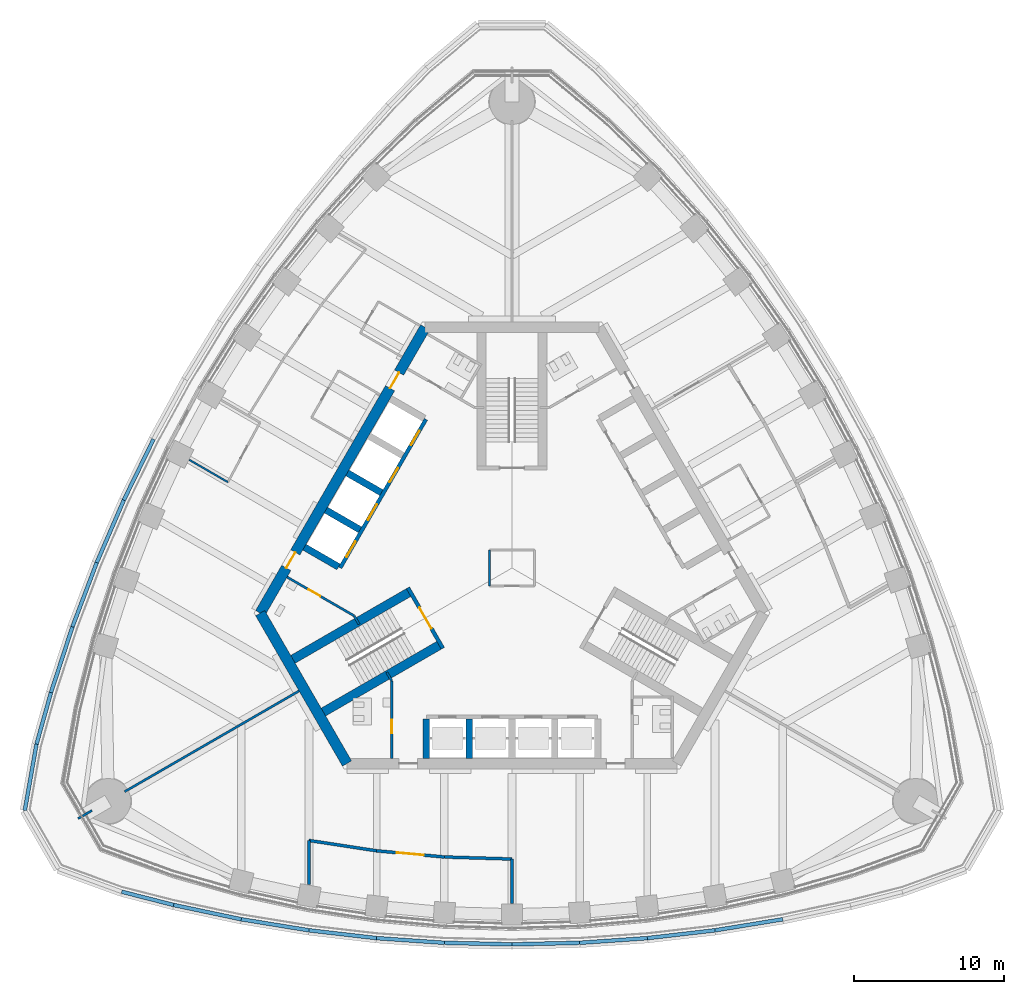
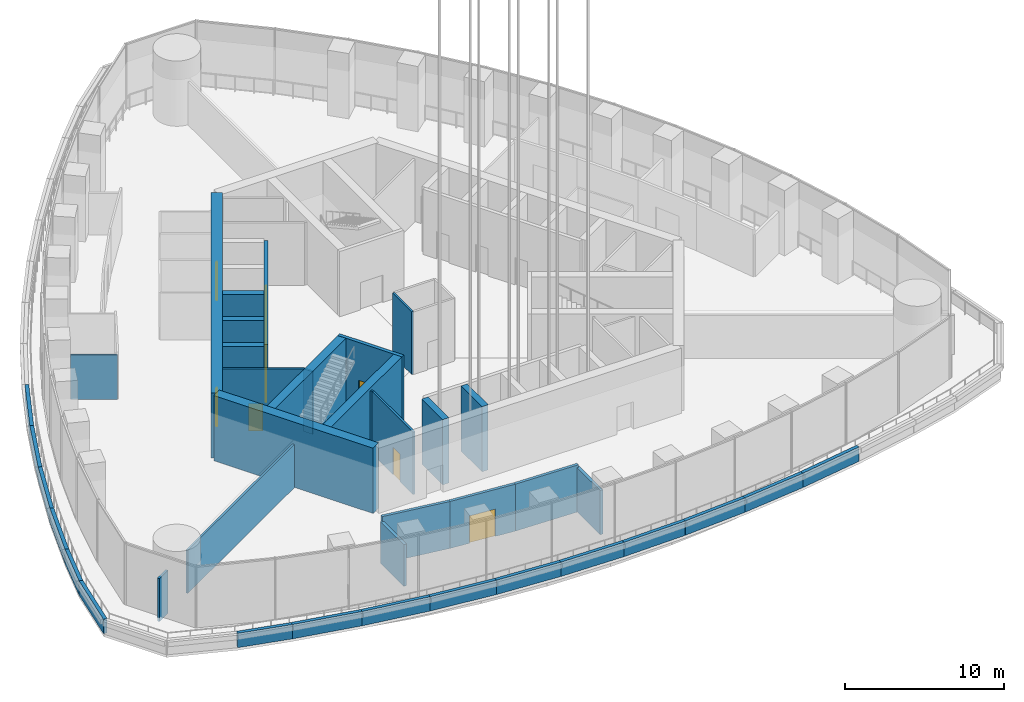
# One storey, part 9 of 26: 40 walls, 10 doors, 10 openings.
"""IFC4 building model written with IfcOpenShell, lengths in metres."""

from ifc_helpers import new_model, si_unit, direction, frame, frame_2d, origin, place, context, subcontext, project, spatial, rectangle, extrude, material, layer, layer_set, type_object, element, fill, save


model = new_model("IFC4")

# Units and contexts
model_context = context("Model", 3, precision=1e-05, world=origin(), true_north=direction((0.0, 1.0)))
body_context = subcontext(model_context, "Body", "Model", "MODEL_VIEW")
ifc_project = project(units=[si_unit("LENGTHUNIT", "METRE"), si_unit("AREAUNIT", "SQUARE_METRE"), si_unit("VOLUMEUNIT", "CUBIC_METRE"), si_unit("PLANEANGLEUNIT", "RADIAN"), si_unit("MASSUNIT", "GRAM", prefix="KILO")], contexts=[model_context])

# Site, building, storey
site_placement = place(None, origin())
site = spatial("IfcSite", under=ifc_project, at=site_placement, CompositionType="ELEMENT")
building_placement = place(site_placement, origin())
building = spatial("IfcBuilding", under=site, at=building_placement, Name="Trefoil Bronze Tower", CompositionType="ELEMENT")
storey_placement = place(building_placement, frame((0.0, 0.0, 271.300048828125)))
storey = spatial("IfcBuildingStorey", under=building, at=storey_placement, Name="L62", CompositionType="ELEMENT", Elevation=271.300048828125)

# Walls
ifc_material_1 = material(Name="Gypsum board on steel studs", Category="steel")
ifc_layer_1 = layer(ifc_material_1, 0.199951171875)
ifc_layer_set_1 = layer_set([ifc_layer_1], Name="Acoustic partition 200")
wall_type_1 = type_object("IfcWallType", Name="Acoustic partition 200", PredefinedType="PARTITIONING", material=ifc_layer_set_1)
wall_1_placement = place(storey_placement, frame((-13.5, -18.1162109375, 0.0), z_axis=(0.0, 0.0, 1.0), x_axis=(0.988481794406, -0.151339823341, 0.0)))
element("IfcWall", 1, at=wall_1_placement, inside=storey, type_object=wall_type_1, Name="Partition F1 L62", PredefinedType="PARTITIONING", context=body_context, shape_type="SweptSolid", body=[
    extrude(rectangle(XDim=4.552490234375, YDim=0.199951171875, at=frame_2d((2.2763671875, 0.0))), origin(), (0.0, 0.0, 1.0), 3.599853515625),
])
wall_2_placement = place(storey_placement, frame((-4.5, -19.21533203125, 0.0), z_axis=(0.0, 0.0, 1.0), x_axis=(0.999542074227, -0.030259574513, 0.0)))
element("IfcWall", 2, at=wall_2_placement, inside=storey, type_object=wall_type_1, Name="Partition F1 L62", PredefinedType="PARTITIONING", context=body_context, shape_type="SweptSolid", body=[
    extrude(rectangle(XDim=4.501953125, YDim=0.199951171875, at=frame_2d((2.2509765625, 0.0))), origin(), (0.0, 0.0, 1.0), 3.599853515625),
])

# Wall, opening, door
wall_3_placement = place(storey_placement, frame((-9.0, -18.80517578125, 0.0), z_axis=(0.0, 0.0, 1.0), x_axis=(0.995871921504, -0.090769576179, 0.0)))
wall_3 = element("IfcWall", 3, at=wall_3_placement, inside=storey, type_object=wall_type_1, Name="Partition F1 L62", PredefinedType="PARTITIONING", context=body_context, shape_type="SweptSolid", body=[
    extrude(rectangle(XDim=4.5185546875, YDim=0.199951171875, at=frame_2d((2.25927734375, 0.0))), origin(), (0.0, 0.0, 1.0), 3.599853515625),
])
opening_1_placement = place(wall_3_placement, frame((1.35009765625, 0.0, 0.0)))
opening_1 = element("IfcOpeningElement", 4, at=opening_1_placement, cuts=wall_3, Name="Opening D10", PredefinedType="OPENING", context=body_context, shape_type="SweptSolid", body=[
    extrude(rectangle(XDim=1.800048828125, YDim=2.10009765625, at=frame_2d((0.89990234375, 1.050048828125))), frame((0.0, 0.10986328125, 0.0), z_axis=(0.0, -1.0, 0.0), x_axis=(1.0, 0.0, 0.0)), (0.0, 0.0, 1.0), 0.219970703125),
])
ifc_material_2 = material(Name="Timber door", Category="wood")
door_type_1 = type_object("IfcDoorType", Name="Double door 1800", OperationType="DOUBLE_DOOR_SINGLE_SWING", PredefinedType="DOOR", material=ifc_material_2)
door_1_placement = place(opening_1_placement, frame((1.800048828125, 0.0, 0.0), z_axis=(0.0, 0.0, 1.0), x_axis=(-1.0, 0.0, 0.0)))
door_1 = element("IfcDoor", 5, at=door_1_placement, inside=storey, type_object=door_type_1, Name="Private dining room door F1 L62", OperationType="DOUBLE_DOOR_SINGLE_SWING", OverallHeight=2.10009765625, OverallWidth=1.800048828125, PredefinedType="DOOR", context=body_context, shape_type="SweptSolid", body=[
    extrude(rectangle(XDim=1.800048828125, YDim=2.10009765625, at=frame_2d((0.89990234375, 1.050048828125))), frame((0.0, 0.02490234375, 0.0), z_axis=(0.0, -1.0, 0.0), x_axis=(1.0, 0.0, 0.0)), (0.0, 0.0, 1.0), 0.050048828125),
])
fill(opening_1, door_1)

# Walls
wall_4_placement = place(storey_placement, frame((0.0, -19.3515625, 0.0), z_axis=(0.0, 0.0, 1.0), x_axis=(0.0, -1.0, 0.0)))
element("IfcWall", 6, at=wall_4_placement, inside=storey, type_object=wall_type_1, Name="Partition F1 L62", PredefinedType="PARTITIONING", context=body_context, shape_type="SweptSolid", body=[
    extrude(rectangle(XDim=2.969970703125, YDim=0.199951171875, at=frame_2d((1.48486328125, 0.0))), origin(), (0.0, 0.0, 1.0), 3.39990234375),
])
wall_5_placement = place(storey_placement, frame((-13.5, -18.1162109375, 0.0), z_axis=(0.0, 0.0, 1.0), x_axis=(0.0, -1.0, 0.0)))
element("IfcWall", 7, at=wall_5_placement, inside=storey, type_object=wall_type_1, Name="Partition F1 L62", PredefinedType="PARTITIONING", context=body_context, shape_type="SweptSolid", body=[
    extrude(rectangle(XDim=2.9443359375, YDim=0.199951171875, at=frame_2d((1.47216796875, 0.0))), origin(), (0.0, 0.0, 1.0), 3.199951171875),
])

# Wall, openings, doors
ifc_material_3 = material(Name="Concrete B80", Category="concrete")
ifc_layer_2 = layer(ifc_material_3, 0.699951171875)
ifc_layer_set_2 = layer_set([ifc_layer_2], Name="Core wall 700")
wall_type_2 = type_object("IfcWallType", Name="Core wall 700", PredefinedType="SHEAR", material=ifc_layer_set_2)
wall_6_placement = place(storey_placement, frame((-5.7734375, 16.0, 0.0), z_axis=(0.0, 0.0, 1.0), x_axis=(-0.500002442456, -0.866023993627, 0.0)))
wall_6 = element("IfcWall", 8, at=wall_6_placement, inside=storey, type_object=wall_type_2, Name="Core long wall 3 L62", PredefinedType="SHEAR", context=body_context, shape_type="SweptSolid", body=[
    extrude(rectangle(XDim=21.939453125, YDim=0.699951171875, at=frame_2d((10.9697265625, 0.0))), origin(), (0.0, 0.0, 1.0), 5.0),
])
opening_2_placement = place(wall_6_placement, frame((17.269775390625, 0.0, 0.0)))
opening_2 = element("IfcOpeningElement", 9, at=opening_2_placement, cuts=wall_6, Name="Opening D2", PredefinedType="OPENING", context=body_context, shape_type="SweptSolid", body=[
    extrude(rectangle(XDim=1.199951171875, YDim=2.10009765625, at=frame_2d((0.60009765625, 1.050048828125))), frame((0.0, 0.35986328125, 0.0), z_axis=(0.0, -1.0, 0.0), x_axis=(1.0, 0.0, 0.0)), (0.0, 0.0, 1.0), 0.719970703125),
])
opening_3_placement = place(wall_6_placement, frame((3.4697265625, 0.0, 0.0)))
opening_3 = element("IfcOpeningElement", 10, at=opening_3_placement, cuts=wall_6, Name="Opening D2", PredefinedType="OPENING", context=body_context, shape_type="SweptSolid", body=[
    extrude(rectangle(XDim=1.199951171875, YDim=2.10009765625, at=frame_2d((0.60009765625, 1.050048828125))), frame((0.0, 0.35986328125, 0.0), z_axis=(0.0, -1.0, 0.0), x_axis=(1.0, 0.0, 0.0)), (0.0, 0.0, 1.0), 0.719970703125),
])
ifc_material_4 = material(Name="Steel door", Category="steel")
door_type_2 = type_object("IfcDoorType", Name="Lobby door 1200", OperationType="SINGLE_SWING_RIGHT", PredefinedType="DOOR", material=ifc_material_4)
door_2_placement = place(opening_2_placement, origin())
door_2 = element("IfcDoor", 11, at=door_2_placement, inside=storey, type_object=door_type_2, Name="Lobby door F3+ L62", OperationType="SINGLE_SWING_RIGHT", OverallHeight=2.10009765625, OverallWidth=1.199951171875, PredefinedType="DOOR", context=body_context, shape_type="SweptSolid", body=[
    extrude(rectangle(XDim=1.199951171875, YDim=2.10009765625, at=frame_2d((0.60009765625, 1.050048828125))), frame((0.0, 0.02490234375, 0.0), z_axis=(0.0, -1.0, 0.0), x_axis=(1.0, 0.0, 0.0)), (0.0, 0.0, 1.0), 0.050048828125),
])
fill(opening_2, door_2)
door_3_placement = place(opening_3_placement, origin())
door_3 = element("IfcDoor", 12, at=door_3_placement, inside=storey, type_object=door_type_2, Name="Lobby door F3- L62", OperationType="SINGLE_SWING_LEFT", OverallHeight=2.10009765625, OverallWidth=1.199951171875, PredefinedType="DOOR", context=body_context, shape_type="SweptSolid", body=[
    extrude(rectangle(XDim=1.199951171875, YDim=2.10009765625, at=frame_2d((0.60009765625, 1.050048828125))), frame((0.0, 0.02490234375, 0.0), z_axis=(0.0, -1.0, 0.0), x_axis=(1.0, 0.0, 0.0)), (0.0, 0.0, 1.0), 0.050048828125),
])
fill(opening_3, door_3)

# Walls
wall_7_placement = place(storey_placement, frame((-16.7431640625, -3.0, 0.0), z_axis=(0.0, 0.0, 1.0), x_axis=(0.499995765644, -0.866027848477, 0.0)))
element("IfcWall", 13, at=wall_7_placement, inside=storey, type_object=wall_type_2, Name="Core short wall 3 L62", PredefinedType="SHEAR", context=body_context, shape_type="SweptSolid", body=[
    extrude(rectangle(XDim=11.546875, YDim=0.699951171875, at=frame_2d((5.7734375, 0.0))), origin(), (0.0, 0.0, 1.0), 5.0),
])
ifc_material_5 = material(Name="Glazed partition", Category="glass")
ifc_layer_3 = layer(ifc_material_5, 0.1201171875)
ifc_layer_set_3 = layer_set([ifc_layer_3], Name="Glazed partition 120")
wall_type_3 = type_object("IfcWallType", Name="Glazed partition 120", PredefinedType="PARTITIONING", material=ifc_layer_set_3)
wall_8_placement = place(storey_placement, frame((-18.890869140625, 5.71044921875, 0.0), z_axis=(0.0, 0.0, 1.0), x_axis=(-0.866032134716, 0.499988341504, 0.0)))
element("IfcWall", 14, at=wall_8_placement, inside=storey, type_object=wall_type_3, Name="Partition F3 L62", PredefinedType="PARTITIONING", context=body_context, shape_type="SweptSolid", body=[
    extrude(rectangle(XDim=2.96728515625, YDim=0.1201171875, at=frame_2d((1.483642578125, 0.0))), origin(), (0.0, 0.0, 1.0), 3.39990234375),
])
ifc_material_6 = material(Name="Concrete B80", Category="concrete")
ifc_layer_4 = layer(ifc_material_6, 0.449951171875)
ifc_layer_set_4 = layer_set([ifc_layer_4], Name="Outrigger shaft wall 450")
wall_type_4 = type_object("IfcWallType", Name="Outrigger shaft wall 450", PredefinedType="SHEAR", material=ifc_layer_set_4)
for number, where, z_axis, x_axis, name in (
    (15, (-5.699951171875, -10.02490234375, 0.0), (0.0, 0.0, 1.0), (0.0, -1.0, 0.0), "Lift shaft side wall A0 L62"),
    (16, (-2.85009765625, -10.02490234375, 0.0), (0.0, 0.0, 1.0), (0.0, -1.0, 0.0), "Lift shaft side wall A1 L62"),
    (17, (-8.681884765625, 5.012451171875, 0.0), (0.0, 0.0, 1.0), (-0.866036909293, 0.499980071345, 0.0), "Lift shaft side wall C2 L62"),
    (18, (-10.10693359375, 2.54443359375, 0.0), (0.0, 0.0, 1.0), (-0.866013657776, 0.500020344131, 0.0), "Lift shaft side wall C3 L62"),
    (19, (-11.531982421875, 0.076171875, 0.0), (0.0, 0.0, 1.0), (-0.866013657776, 0.500020344131, 0.0), "Lift shaft side wall C4 L62"),
):
    element("IfcWall", number, at=place(storey_placement, frame(where, z_axis=z_axis, x_axis=x_axis)), inside=storey, type_object=wall_type_4, Name=name, PredefinedType="SHEAR", context=body_context, shape_type="SweptSolid", body=[
        extrude(rectangle(XDim=2.625, YDim=0.449951171875, at=frame_2d((1.3125, 0.0))), origin(), (0.0, 0.0, 1.0), 5.0),
    ])
ifc_material_7 = material(Name="Concrete B80", Category="concrete")
ifc_layer_5 = layer(ifc_material_7, 0.25)
ifc_layer_set_5 = layer_set([ifc_layer_5], Name="Parapet 250")
wall_type_5 = type_object("IfcWallType", Name="Parapet 250", PredefinedType="PARAPET", material=ifc_layer_set_5)
wall_9_placement = place(storey_placement, frame((-25.952880859375, -21.525634765625, 0.0), z_axis=(0.0, 0.0, 1.0), x_axis=(0.968933780572, -0.247320296109, 0.0)))
element("IfcWall", 20, at=wall_9_placement, inside=storey, type_object=wall_type_5, Name="Parapet L62.1", PredefinedType="PARAPET", context=body_context, shape_type="SweptSolid", body=[
    extrude(rectangle(XDim=3.5634765625, YDim=0.25, at=frame_2d((1.78173828125, 0.0))), origin(), (0.0, 0.0, 1.0), 1.099853515625),
])
wall_10_placement = place(storey_placement, frame((-22.5, -22.406982421875, 0.0), z_axis=(0.0, 0.0, 1.0), x_axis=(0.978393499054, -0.206751447418, 0.0)))
element("IfcWall", 21, at=wall_10_placement, inside=storey, type_object=wall_type_5, Name="Parapet L62.2", PredefinedType="PARAPET", context=body_context, shape_type="SweptSolid", body=[
    extrude(rectangle(XDim=4.599365234375, YDim=0.25, at=frame_2d((2.2998046875, 0.0))), origin(), (0.0, 0.0, 1.0), 1.099853515625),
])
wall_11_placement = place(storey_placement, frame((-18.0, -23.35791015625, 0.0), z_axis=(0.0, 0.0, 1.0), x_axis=(0.986986525477, -0.160802980469, 0.0)))
element("IfcWall", 22, at=wall_11_placement, inside=storey, type_object=wall_type_5, Name="Parapet L62.3", PredefinedType="PARAPET", context=body_context, shape_type="SweptSolid", body=[
    extrude(rectangle(XDim=4.559326171875, YDim=0.25, at=frame_2d((2.27978515625, 0.0))), origin(), (0.0, 0.0, 1.0), 1.099853515625),
])
wall_12_placement = place(storey_placement, frame((-13.5, -24.091064453125, 0.0), z_axis=(0.0, 0.0, 1.0), x_axis=(0.993382946625, -0.114849124309, 0.0)))
element("IfcWall", 23, at=wall_12_placement, inside=storey, type_object=wall_type_5, Name="Parapet L62.4", PredefinedType="PARAPET", context=body_context, shape_type="SweptSolid", body=[
    extrude(rectangle(XDim=4.530029296875, YDim=0.25, at=frame_2d((2.26513671875, 0.0))), origin(), (0.0, 0.0, 1.0), 1.099853515625),
])
wall_13_placement = place(storey_placement, frame((-9.0, -24.611328125, 0.0), z_axis=(0.0, 0.0, 1.0), x_axis=(0.997623533978, -0.068900540297, 0.0)))
element("IfcWall", 24, at=wall_13_placement, inside=storey, type_object=wall_type_5, Name="Parapet L62.5", PredefinedType="PARAPET", context=body_context, shape_type="SweptSolid", body=[
    extrude(rectangle(XDim=4.5107421875, YDim=0.25, at=frame_2d((2.25537109375, 0.0))), origin(), (0.0, 0.0, 1.0), 1.099853515625),
])
for number, where, z_axis, x_axis, name in (
    (25, (-4.5, -24.922119140625, 0.0), (0.0, 0.0, 1.0), (0.99973552509, -0.022997388381, 0.0), "Parapet L62.6"),
    (26, (0.0, -25.025634765625, 0.0), (0.0, 0.0, 1.0), (0.99973552509, 0.022997388381, 0.0), "Parapet L62.7"),
):
    element("IfcWall", number, at=place(storey_placement, frame(where, z_axis=z_axis, x_axis=x_axis)), inside=storey, type_object=wall_type_5, Name=name, PredefinedType="PARAPET", context=body_context, shape_type="SweptSolid", body=[
        extrude(rectangle(XDim=4.501220703125, YDim=0.25, at=frame_2d((2.25048828125, 0.0))), origin(), (0.0, 0.0, 1.0), 1.099853515625),
    ])
wall_14_placement = place(storey_placement, frame((4.5, -24.922119140625, 0.0), z_axis=(0.0, 0.0, 1.0), x_axis=(0.997623533978, 0.068900540297, 0.0)))
element("IfcWall", 27, at=wall_14_placement, inside=storey, type_object=wall_type_5, Name="Parapet L62.8", PredefinedType="PARAPET", context=body_context, shape_type="SweptSolid", body=[
    extrude(rectangle(XDim=4.5107421875, YDim=0.25, at=frame_2d((2.25537109375, 0.0))), origin(), (0.0, 0.0, 1.0), 1.099853515625),
])
wall_15_placement = place(storey_placement, frame((9.0, -24.611328125, 0.0), z_axis=(0.0, 0.0, 1.0), x_axis=(0.993382946625, 0.114849124309, 0.0)))
element("IfcWall", 28, at=wall_15_placement, inside=storey, type_object=wall_type_5, Name="Parapet L62.9", PredefinedType="PARAPET", context=body_context, shape_type="SweptSolid", body=[
    extrude(rectangle(XDim=4.530029296875, YDim=0.25, at=frame_2d((2.26513671875, 0.0))), origin(), (0.0, 0.0, 1.0), 1.099853515625),
])
wall_16_placement = place(storey_placement, frame((13.5, -24.091064453125, 0.0), z_axis=(0.0, 0.0, 1.0), x_axis=(0.986986525477, 0.160802980469, 0.0)))
element("IfcWall", 29, at=wall_16_placement, inside=storey, type_object=wall_type_5, Name="Parapet L62.10", PredefinedType="PARAPET", context=body_context, shape_type="SweptSolid", body=[
    extrude(rectangle(XDim=4.559326171875, YDim=0.25, at=frame_2d((2.27978515625, 0.0))), origin(), (0.0, 0.0, 1.0), 1.099853515625),
])
wall_17_placement = place(storey_placement, frame((-23.833251953125, 8.56396484375, 0.0), z_axis=(0.0, 0.0, 1.0), x_axis=(-0.43911984878, -0.898428493764, 0.0)))
element("IfcWall", 30, at=wall_17_placement, inside=storey, type_object=wall_type_5, Name="Parapet L62.38", PredefinedType="PARAPET", context=body_context, shape_type="SweptSolid", body=[
    extrude(rectangle(XDim=4.5107421875, YDim=0.25, at=frame_2d((2.25537109375, 0.0))), origin(), (0.0, 0.0, 1.0), 1.099853515625),
])
wall_18_placement = place(storey_placement, frame((-25.81396484375, 4.511474609375, 0.0), z_axis=(0.0, 0.0, 1.0), x_axis=(-0.397253491631, -0.917708920839, 0.0)))
element("IfcWall", 31, at=wall_18_placement, inside=storey, type_object=wall_type_5, Name="Parapet L62.39", PredefinedType="PARAPET", context=body_context, shape_type="SweptSolid", body=[
    extrude(rectangle(XDim=4.530029296875, YDim=0.25, at=frame_2d((2.26513671875, 0.0))), origin(), (0.0, 0.0, 1.0), 1.099853515625),
])
wall_19_placement = place(storey_placement, frame((-27.613525390625, 0.354248046875, 0.0), z_axis=(0.0, 0.0, 1.0), x_axis=(-0.354219967303, -0.935162132875, 0.0)))
element("IfcWall", 32, at=wall_19_placement, inside=storey, type_object=wall_type_5, Name="Parapet L62.40", PredefinedType="PARAPET", context=body_context, shape_type="SweptSolid", body=[
    extrude(rectangle(XDim=4.559326171875, YDim=0.25, at=frame_2d((2.27978515625, 0.0))), origin(), (0.0, 0.0, 1.0), 1.099853515625),
])
wall_20_placement = place(storey_placement, frame((-29.228515625, -3.909423828125, 0.0), z_axis=(0.0, 0.0, 1.0), x_axis=(-0.310154105003, -0.950686294815, 0.0)))
element("IfcWall", 33, at=wall_20_placement, inside=storey, type_object=wall_type_5, Name="Parapet L62.41", PredefinedType="PARAPET", context=body_context, shape_type="SweptSolid", body=[
    extrude(rectangle(XDim=4.599365234375, YDim=0.25, at=frame_2d((2.2998046875, 0.0))), origin(), (0.0, 0.0, 1.0), 1.099853515625),
])
wall_21_placement = place(storey_placement, frame((-30.655029296875, -8.281982421875, 0.0), z_axis=(0.0, 0.0, 1.0), x_axis=(-0.270257504211, -0.962788077106, 0.0)))
element("IfcWall", 34, at=wall_21_placement, inside=storey, type_object=wall_type_5, Name="Parapet L62.42", PredefinedType="PARAPET", context=body_context, shape_type="SweptSolid", body=[
    extrude(rectangle(XDim=3.563720703125, YDim=0.25, at=frame_2d((1.78173828125, 0.0))), origin(), (0.0, 0.0, 1.0), 1.099853515625),
])
wall_22_placement = place(storey_placement, frame((-31.6181640625, -11.713134765625, 0.0), z_axis=(0.0, 0.0, 1.0), x_axis=(-0.173663946116, -0.984804972479, 0.0)))
element("IfcWall", 35, at=wall_22_placement, inside=storey, type_object=wall_type_5, Name="Parapet L62.43", PredefinedType="PARAPET", context=body_context, shape_type="SweptSolid", body=[
    extrude(rectangle(XDim=4.474853515625, YDim=0.25, at=frame_2d((2.2373046875, 0.0))), origin(), (0.0, 0.0, 1.0), 1.099853515625),
])

# Wall, opening, door
ifc_material_8 = material(Name="Gypsum board on steel studs", Category="steel")
ifc_layer_6 = layer(ifc_material_8, 0.14990234375)
ifc_layer_set_6 = layer_set([ifc_layer_6], Name="Partition 150")
wall_type_6 = type_object("IfcWallType", Name="Partition 150", PredefinedType="PARTITIONING", material=ifc_layer_set_6)
wall_23_placement = place(storey_placement, frame((-8.0, -7.5, 0.0), z_axis=(0.0, 0.0, 1.0), x_axis=(0.0, -1.0, 0.0)))
wall_23 = element("IfcWall", 36, at=wall_23_placement, inside=storey, type_object=wall_type_6, Name="Passage wall F1- L62", PredefinedType="PARTITIONING", context=body_context, shape_type="SweptSolid", body=[
    extrude(rectangle(XDim=5.14990234375, YDim=0.14990234375, at=frame_2d((2.574951171875, 0.0))), origin(), (0.0, 0.0, 1.0), 4.800048828125),
])
opening_4_placement = place(wall_23_placement, frame((2.60009765625, 0.0, 0.0)))
opening_4 = element("IfcOpeningElement", 37, at=opening_4_placement, cuts=wall_23, Name="Opening D3", PredefinedType="OPENING", context=body_context, shape_type="SweptSolid", body=[
    extrude(rectangle(XDim=0.89990234375, YDim=2.10009765625, at=frame_2d((0.449951171875, 1.050048828125))), frame((0.0, 0.0849609375, 0.0), z_axis=(0.0, -1.0, 0.0), x_axis=(1.0, 0.0, 0.0)), (0.0, 0.0, 1.0), 0.169921875),
])
ifc_material_9 = material(Name="Timber door", Category="wood")
door_type_3 = type_object("IfcDoorType", Name="WC door 900", OperationType="SINGLE_SWING_LEFT", PredefinedType="DOOR", material=ifc_material_9)
door_4_placement = place(opening_4_placement, frame((0.89990234375, 0.0, 0.0), z_axis=(0.0, 0.0, 1.0), x_axis=(-1.0, 0.0, 0.0)))
door_4 = element("IfcDoor", 38, at=door_4_placement, inside=storey, type_object=door_type_3, Name="WC (women) door L62", OperationType="SINGLE_SWING_LEFT", OverallHeight=2.10009765625, OverallWidth=0.89990234375, PredefinedType="DOOR", context=body_context, shape_type="SweptSolid", body=[
    extrude(rectangle(XDim=0.89990234375, YDim=2.10009765625, at=frame_2d((0.449951171875, 1.050048828125))), frame((0.0, 0.02490234375, 0.0), z_axis=(0.0, -1.0, 0.0), x_axis=(1.0, 0.0, 0.0)), (0.0, 0.0, 1.0), 0.050048828125),
])
fill(opening_4, door_4)

wall_24_placement = place(storey_placement, frame((-10.4951171875, -3.17822265625, 0.0), z_axis=(0.0, 0.0, 1.0), x_axis=(-0.866037967349, 0.499978238636, 0.0)))
wall_24 = element("IfcWall", 39, at=wall_24_placement, inside=storey, type_object=wall_type_6, Name="Passage wall F3+ L62", PredefinedType="PARTITIONING", context=body_context, shape_type="SweptSolid", body=[
    extrude(rectangle(XDim=5.150146484375, YDim=0.14990234375, at=frame_2d((2.5751953125, 0.0))), origin(), (0.0, 0.0, 1.0), 4.800048828125),
])
opening_5_placement = place(wall_24_placement, frame((2.60009765625, 0.0, 0.0)))
opening_5 = element("IfcOpeningElement", 40, at=opening_5_placement, cuts=wall_24, Name="Opening D3", PredefinedType="OPENING", context=body_context, shape_type="SweptSolid", body=[
    extrude(rectangle(XDim=0.89990234375, YDim=2.10009765625, at=frame_2d((0.449951171875, 1.050048828125))), frame((0.0, 0.0849609375, 0.0), z_axis=(0.0, -1.0, 0.0), x_axis=(1.0, 0.0, 0.0)), (0.0, 0.0, 1.0), 0.169921875),
])
door_5_placement = place(opening_5_placement, origin())
door_5 = element("IfcDoor", 41, at=door_5_placement, inside=storey, type_object=door_type_3, Name="Accessible WC door L62", OperationType="SINGLE_SWING_RIGHT", OverallHeight=2.10009765625, OverallWidth=0.89990234375, PredefinedType="DOOR", context=body_context, shape_type="SweptSolid", body=[
    extrude(rectangle(XDim=0.89990234375, YDim=2.10009765625, at=frame_2d((0.449951171875, 1.050048828125))), frame((0.0, 0.02490234375, 0.0), z_axis=(0.0, -1.0, 0.0), x_axis=(1.0, 0.0, 0.0)), (0.0, 0.0, 1.0), 0.050048828125),
])
fill(opening_5, door_5)

# Walls
for number, where, z_axis, x_axis, name in (
    (42, (-10.4951171875, -3.17822265625, 0.0), (0.0, 0.0, 1.0), (0.499842556608, -0.866116284689, 0.0), "WC wall ST3-1 L62"),
    (43, (-8.0, -7.5, 0.0), (0.0, 0.0, 1.0), (-0.499842556608, 0.866116284689, 0.0), "WC wall ST3+1 L62"),
):
    element("IfcWall", number, at=place(storey_placement, frame(where, z_axis=z_axis, x_axis=x_axis)), inside=storey, type_object=wall_type_6, Name=name, PredefinedType="PARTITIONING", context=body_context, shape_type="SweptSolid", body=[
        extrude(rectangle(XDim=0.645263671875, YDim=0.14990234375, at=frame_2d((0.32275390625, 0.0))), origin(), (0.0, 0.0, 1.0), 4.800048828125),
    ])
ifc_material_10 = material(Name="Gypsum board on steel studs", Category="steel")
ifc_layer_7 = layer(ifc_material_10, 0.14990234375)
ifc_layer_set_7 = layer_set([ifc_layer_7], Name="Party wall 150")
wall_type_7 = type_object("IfcWallType", Name="Party wall 150", PredefinedType="PARTITIONING", material=ifc_layer_set_7)
wall_25_placement = place(storey_placement, frame((-14.159423828125, -8.175048828125, 0.0), z_axis=(0.0, 0.0, 1.0), x_axis=(-0.866026905467, -0.499997399001, 0.0)))
element("IfcWall", 44, at=wall_25_placement, inside=storey, type_object=wall_type_7, Name="Party wall K3 L62", PredefinedType="PARTITIONING", context=body_context, shape_type="SweptSolid", body=[
    extrude(rectangle(XDim=13.39990234375, YDim=0.14990234375, at=frame_2d((6.699951171875, 0.0))), origin(), (0.0, 0.0, 1.0), 3.300048828125),
])
wall_26_placement = place(storey_placement, frame((-27.92919921875, -16.125, 0.0), z_axis=(0.0, 0.0, 1.0), x_axis=(-0.866086810508, -0.499893625349, 0.0)))
element("IfcWall", 45, at=wall_26_placement, inside=storey, type_object=wall_type_7, Name="Party wall K3 L62", PredefinedType="PARTITIONING", context=body_context, shape_type="SweptSolid", body=[
    extrude(rectangle(XDim=1.070068359375, YDim=0.14990234375, at=frame_2d((0.53515625, 0.0))), origin(), (0.0, 0.0, 1.0), 3.300048828125),
])
ifc_material_11 = material(Name="Gypsum board on steel studs", Category="steel")
ifc_layer_8 = layer(ifc_material_11, 0.14990234375)
ifc_layer_set_8 = layer_set([ifc_layer_8], Name="Riser wall 150")
wall_type_8 = type_object("IfcWallType", Name="Riser wall 150", PredefinedType="PARTITIONING", material=ifc_layer_set_8)
wall_27_placement = place(storey_placement, frame((-1.5, 1.199951171875, 0.0), z_axis=(0.0, 0.0, 1.0), x_axis=(0.0, -1.0, 0.0)))
element("IfcWall", 46, at=wall_27_placement, inside=storey, type_object=wall_type_8, Name="Riser wall L62", PredefinedType="PARTITIONING", context=body_context, shape_type="SweptSolid", body=[
    extrude(rectangle(XDim=2.39990234375, YDim=0.14990234375, at=frame_2d((1.199951171875, 0.0))), origin(), (0.0, 0.0, 1.0), 4.800048828125),
])

# Wall, openings, doors
ifc_material_12 = material(Name="Concrete B80", Category="concrete")
ifc_layer_9 = layer(ifc_material_12, 0.25)
ifc_layer_set_9 = layer_set([ifc_layer_9], Name="Shaft wall 250")
wall_type_9 = type_object("IfcWallType", Name="Shaft wall 250", PredefinedType="SHEAR", material=ifc_layer_set_9)
wall_28_placement = place(storey_placement, frame((-5.7236328125, 9.88623046875, 0.0), z_axis=(0.0, 0.0, 1.0), x_axis=(-0.500001763848, -0.866024385424, 0.0)))
wall_28 = element("IfcWall", 47, at=wall_28_placement, inside=storey, type_object=wall_type_9, Name="Lift shaft front wall C L62", PredefinedType="SHEAR", context=body_context, shape_type="SweptSolid", body=[
    extrude(rectangle(XDim=11.39990234375, YDim=0.25, at=frame_2d((5.699951171875, 0.0))), origin(), (0.0, 0.0, 1.0), 5.0),
])
opening_6_placement = place(wall_28_placement, frame((0.875, 0.0, 0.0)))
opening_6 = element("IfcOpeningElement", 48, at=opening_6_placement, cuts=wall_28, Name="Opening LD-S5", PredefinedType="OPENING", context=body_context, shape_type="SweptSolid", body=[
    extrude(rectangle(XDim=1.10009765625, YDim=2.199951171875, at=frame_2d((0.550048828125, 1.10009765625))), frame((0.0, 0.135009765625, 0.0), z_axis=(0.0, -1.0, 0.0), x_axis=(1.0, 0.0, 0.0)), (0.0, 0.0, 1.0), 0.27001953125),
])
opening_7_placement = place(wall_28_placement, frame((3.72509765625, 0.0, 0.0)))
opening_7 = element("IfcOpeningElement", 49, at=opening_7_placement, cuts=wall_28, Name="Opening LD-S6", PredefinedType="OPENING", context=body_context, shape_type="SweptSolid", body=[
    extrude(rectangle(XDim=1.10009765625, YDim=2.199951171875, at=frame_2d((0.550048828125, 1.10009765625))), frame((0.0, 0.135009765625, 0.0), z_axis=(0.0, -1.0, 0.0), x_axis=(1.0, 0.0, 0.0)), (0.0, 0.0, 1.0), 0.27001953125),
])
opening_8_placement = place(wall_28_placement, frame((6.52490234375, 0.0, 0.0)))
opening_8 = element("IfcOpeningElement", 50, at=opening_8_placement, cuts=wall_28, Name="Opening LD-FL1", PredefinedType="OPENING", context=body_context, shape_type="SweptSolid", body=[
    extrude(rectangle(XDim=1.199951171875, YDim=2.199951171875, at=frame_2d((0.60009765625, 1.10009765625))), frame((0.0, 0.135009765625, 0.0), z_axis=(0.0, -1.0, 0.0), x_axis=(1.0, 0.0, 0.0)), (0.0, 0.0, 1.0), 0.27001953125),
])
opening_9_placement = place(wall_28_placement, frame((9.375, 0.0, 0.0)))
opening_9 = element("IfcOpeningElement", 51, at=opening_9_placement, cuts=wall_28, Name="Opening LD-FL2", PredefinedType="OPENING", context=body_context, shape_type="SweptSolid", body=[
    extrude(rectangle(XDim=1.199951171875, YDim=2.199951171875, at=frame_2d((0.60009765625, 1.10009765625))), frame((0.0, 0.135009765625, 0.0), z_axis=(0.0, -1.0, 0.0), x_axis=(1.0, 0.0, 0.0)), (0.0, 0.0, 1.0), 0.27001953125),
])
ifc_material_13 = material(Name="Steel door", Category="steel")
door_type_4 = type_object("IfcDoorType", Name="Lift landing door 1100", OperationType="DOUBLE_DOOR_SLIDING", PredefinedType="DOOR", material=ifc_material_13)
door_6_placement = place(opening_6_placement, origin())
door_6 = element("IfcDoor", 52, at=door_6_placement, inside=storey, type_object=door_type_4, Name="Lift S5 landing door L62", OperationType="DOUBLE_DOOR_SLIDING", OverallHeight=2.199951171875, OverallWidth=1.10009765625, PredefinedType="DOOR", context=body_context, shape_type="SweptSolid", body=[
    extrude(rectangle(XDim=1.10009765625, YDim=2.199951171875, at=frame_2d((0.550048828125, 1.10009765625))), frame((0.0, 0.02490234375, 0.0), z_axis=(0.0, -1.0, 0.0), x_axis=(1.0, 0.0, 0.0)), (0.0, 0.0, 1.0), 0.050048828125),
])
fill(opening_6, door_6)
door_7_placement = place(opening_7_placement, origin())
door_7 = element("IfcDoor", 53, at=door_7_placement, inside=storey, type_object=door_type_4, Name="Lift S6 landing door L62", OperationType="DOUBLE_DOOR_SLIDING", OverallHeight=2.199951171875, OverallWidth=1.10009765625, PredefinedType="DOOR", context=body_context, shape_type="SweptSolid", body=[
    extrude(rectangle(XDim=1.10009765625, YDim=2.199951171875, at=frame_2d((0.550048828125, 1.10009765625))), frame((0.0, 0.02490234375, 0.0), z_axis=(0.0, -1.0, 0.0), x_axis=(1.0, 0.0, 0.0)), (0.0, 0.0, 1.0), 0.050048828125),
])
fill(opening_7, door_7)
ifc_material_14 = material(Name="Steel door", Category="steel")
door_type_5 = type_object("IfcDoorType", Name="Lift landing door 1200", OperationType="DOUBLE_DOOR_SLIDING", PredefinedType="DOOR", material=ifc_material_14)
door_8_placement = place(opening_8_placement, origin())
door_8 = element("IfcDoor", 54, at=door_8_placement, inside=storey, type_object=door_type_5, Name="Lift FL1 landing door L62", OperationType="DOUBLE_DOOR_SLIDING", OverallHeight=2.199951171875, OverallWidth=1.199951171875, PredefinedType="DOOR", context=body_context, shape_type="SweptSolid", body=[
    extrude(rectangle(XDim=1.199951171875, YDim=2.199951171875, at=frame_2d((0.60009765625, 1.10009765625))), frame((0.0, 0.02490234375, 0.0), z_axis=(0.0, -1.0, 0.0), x_axis=(1.0, 0.0, 0.0)), (0.0, 0.0, 1.0), 0.050048828125),
])
fill(opening_8, door_8)
door_9_placement = place(opening_9_placement, origin())
door_9 = element("IfcDoor", 55, at=door_9_placement, inside=storey, type_object=door_type_5, Name="Lift FL2 landing door L62", OperationType="DOUBLE_DOOR_SLIDING", OverallHeight=2.199951171875, OverallWidth=1.199951171875, PredefinedType="DOOR", context=body_context, shape_type="SweptSolid", body=[
    extrude(rectangle(XDim=1.199951171875, YDim=2.199951171875, at=frame_2d((0.60009765625, 1.10009765625))), frame((0.0, 0.02490234375, 0.0), z_axis=(0.0, -1.0, 0.0), x_axis=(1.0, 0.0, 0.0)), (0.0, 0.0, 1.0), 0.050048828125),
])
fill(opening_9, door_9)

# Wall, opening, door
wall_29_placement = place(storey_placement, frame((-6.921630859375, -1.3115234375, 0.0), z_axis=(0.0, 0.0, 1.0), x_axis=(0.499984536904, -0.866034331223, 0.0)))
wall_29 = element("IfcWall", 56, at=wall_29_placement, inside=storey, type_object=wall_type_9, Name="Stair end wall ST3 L62", PredefinedType="SHEAR", context=body_context, shape_type="SweptSolid", body=[
    extrude(rectangle(XDim=4.650146484375, YDim=0.25, at=frame_2d((2.3251953125, 0.0))), origin(), (0.0, 0.0, 1.0), 5.0),
])
opening_10_placement = place(wall_29_placement, frame((1.52490234375, 0.0, 0.0)))
opening_10 = element("IfcOpeningElement", 57, at=opening_10_placement, cuts=wall_29, Name="Opening D1", PredefinedType="OPENING", context=body_context, shape_type="SweptSolid", body=[
    extrude(rectangle(XDim=1.60009765625, YDim=2.10009765625, at=frame_2d((0.800048828125, 1.050048828125))), frame((0.0, 0.135009765625, 0.0), z_axis=(0.0, -1.0, 0.0), x_axis=(1.0, 0.0, 0.0)), (0.0, 0.0, 1.0), 0.27001953125),
])
ifc_material_15 = material(Name="Steel door", Category="steel")
door_type_6 = type_object("IfcDoorType", Name="Stair door 1600", OperationType="DOUBLE_DOOR_SINGLE_SWING", PredefinedType="DOOR", material=ifc_material_15)
door_10_placement = place(opening_10_placement, frame((1.60009765625, 0.0, 0.0), z_axis=(0.0, 0.0, 1.0), x_axis=(-1.0, 0.0, 0.0)))
door_10 = element("IfcDoor", 58, at=door_10_placement, inside=storey, type_object=door_type_6, Name="Stair door ST3 L62", OperationType="DOUBLE_DOOR_SINGLE_SWING", OverallHeight=2.10009765625, OverallWidth=1.60009765625, PredefinedType="DOOR", context=body_context, shape_type="SweptSolid", body=[
    extrude(rectangle(XDim=1.60009765625, YDim=2.10009765625, at=frame_2d((0.800048828125, 1.050048828125))), frame((0.0, 0.02490234375, 0.0), z_axis=(0.0, -1.0, 0.0), x_axis=(1.0, 0.0, 0.0)), (0.0, 0.0, 1.0), 0.050048828125),
])
fill(opening_10, door_10)

# Walls
ifc_material_16 = material(Name="Concrete B80", Category="concrete")
ifc_layer_10 = layer(ifc_material_16, 0.60009765625)
ifc_layer_set_10 = layer_set([ifc_layer_10], Name="Stair wall 600")
wall_type_10 = type_object("IfcWallType", Name="Stair wall 600", PredefinedType="SHEAR", material=ifc_layer_set_10)
for number, where, z_axis, x_axis, name in (
    (59, (-6.663330078125, -1.5087890625, 0.0), (0.0, 0.0, 1.0), (-0.866028310072, -0.499994966129, 0.0), "Stair wall ST3 L62"),
    (60, (-4.638427734375, -5.01611328125, 0.0), (0.0, 0.0, 1.0), (-0.866021621257, -0.500006551472, 0.0), "Stair wall ST3 L62"),
):
    element("IfcWall", number, at=place(storey_placement, frame(where, z_axis=z_axis, x_axis=x_axis)), inside=storey, type_object=wall_type_10, Name=name, PredefinedType="SHEAR", context=body_context, shape_type="SweptSolid", body=[
        extrude(rectangle(XDim=9.125, YDim=0.60009765625, at=frame_2d((4.5625, 0.0))), origin(), (0.0, 0.0, 1.0), 5.0),
    ])

save(model, "model.ifc")
